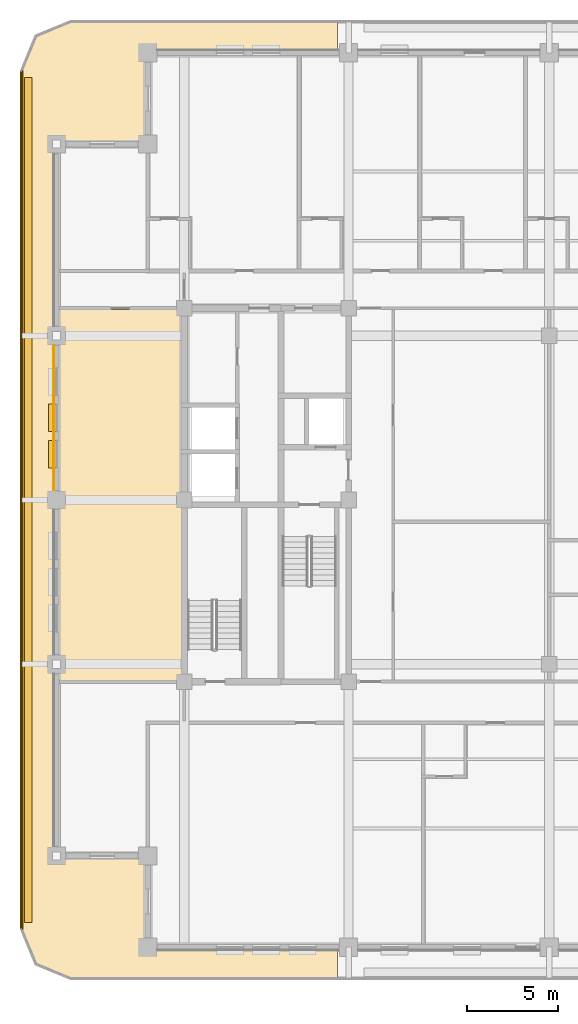
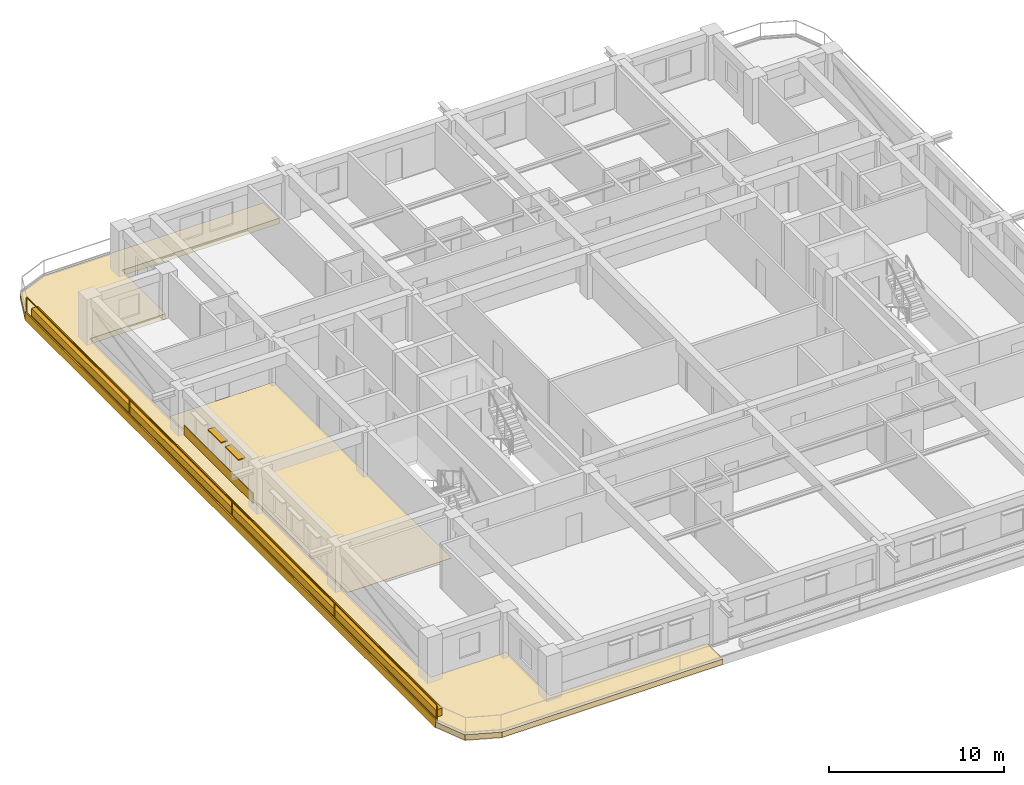
# One storey, part 10 of 14: 5 coverings, 2 shading devices, 1 railing.
"""IFC4 building model written with IfcOpenShell, lengths in metres."""

from ifc_helpers import new_model, si_unit, direction, frame, frame_2d, origin, origin_2d, place, context, subcontext, project, spatial, polyline, rectangle, outline, extrude, material, layer, layer_set, type_object, element, save


model = new_model("IFC4")

# Units and contexts
model_context = context("Model", 3, precision=1e-05, world=origin(), true_north=direction((0.0, 1.0)))
body_context = subcontext(model_context, "Body", "Model", "MODEL_VIEW")
ifc_project = project(units=[si_unit("LENGTHUNIT", "METRE"), si_unit("AREAUNIT", "SQUARE_METRE"), si_unit("VOLUMEUNIT", "CUBIC_METRE"), si_unit("PLANEANGLEUNIT", "RADIAN"), si_unit("MASSUNIT", "GRAM", prefix="KILO")], contexts=[model_context])

# Site, building, storey
site_placement = place(None, origin())
site = spatial("IfcSite", under=ifc_project, at=site_placement, CompositionType="ELEMENT")
building_placement = place(site_placement, origin())
building = spatial("IfcBuilding", under=site, at=building_placement, Name="Zulmaris Gate Convention Tower", CompositionType="ELEMENT")
storey_placement = place(building_placement, frame((0.0, 0.0, 194.85986328125)))
storey = spatial("IfcBuildingStorey", under=building, at=storey_placement, Name="L50", CompositionType="ELEMENT", Elevation=194.85986328125)

# Coverings
ifc_material_1 = material(Name="Precast concrete C40/50", Category="concrete")
ifc_layer_1 = layer(ifc_material_1, 0.0400390625, Name="Precast concrete C40/50")
ifc_layer_set_1 = layer_set([ifc_layer_1], Name="Precast concrete C40/50")
covering_type_1 = type_object("IfcCoveringType", Name="CLAD-SPANDREL-PRECAST", PredefinedType="CLADDING", material=ifc_layer_set_1)
covering_1_placement = place(storey_placement, frame((-27.14990234375, 8.469970703125, 0.0), z_axis=(0.0, 0.0, 1.0), x_axis=(0.0, -1.0, 0.0)))
element("IfcCovering", 1, at=covering_1_placement, inside=storey, type_object=covering_type_1, Name="CLD-L50-W-2_0", PredefinedType="CLADDING", context=body_context, shape_type="SweptSolid", body=[
    extrude(rectangle(XDim=7.93994140625, YDim=0.0400390625, at=frame_2d((3.969970703125, 0.0))), origin(), (0.0, 0.0, 1.0), 0.679931640625),
])
ifc_material_2 = material(Name="White Glazed Architectural Precast Concrete C40/50", Category="concrete")
ifc_layer_2 = layer(ifc_material_2, 0.239990234375, Name="White Glazed Architectural Precast Concrete C40/50")
ifc_layer_set_2 = layer_set([ifc_layer_2], Name="White Glazed Architectural Precast Concrete C40/50")
covering_type_2 = type_object("IfcCoveringType", Name="CLAD-TRAY-DECK", PredefinedType="CLADDING", material=ifc_layer_set_2)
covering_2_placement = place(storey_placement, frame((0.0, 0.0, -0.425048828125)))
element("IfcCovering", 2, at=covering_2_placement, inside=storey, type_object=covering_type_2, Name="L50 West Rounded-Fascia Planter Tray Deck", PredefinedType="CLADDING", context=body_context, shape_type="SweptSolid", body=[
    extrude(outline(polyline([(-29.0, 23.5), (-28.179931640625, 25.47998046875), (-26.199951171875, 26.300048828125), (-11.60205078125, 26.300048828125), (-11.60205078125, 24.5), (-22.0, 24.5), (-22.0, 19.5), (-27.0, 19.5), (-27.0, -19.5), (-22.0, -19.5), (-22.0, -24.5), (-11.60205078125, -24.5), (-11.60205078125, -26.300048828125), (-26.199951171875, -26.300048828125), (-28.179931640625, -25.47998046875), (-29.0, -23.5), (-29.0, 23.5)])), origin(), (0.0, 0.0, 1.0), 0.385009765625),
])
ifc_layer_3 = layer(ifc_material_2, 0.080078125, Name="White Glazed Architectural Precast Concrete C40/50")
ifc_layer_set_3 = layer_set([ifc_layer_3], Name="White Glazed Architectural Precast Concrete C40/50")
covering_type_3 = type_object("IfcCoveringType", Name="CLAD-TRAY-FASCIA", PredefinedType="CLADDING", material=ifc_layer_set_3)
covering_3_placement = place(storey_placement, frame((-28.9599609375, 23.5, -0.46484375), z_axis=(0.0, 0.0, 1.0), x_axis=(0.0, -1.0, 0.0)))
element("IfcCovering", 3, at=covering_3_placement, inside=storey, type_object=covering_type_3, Name="FSC-L50-TR-11", PredefinedType="CLADDING", context=body_context, shape_type="SweptSolid", body=[
    extrude(rectangle(XDim=47.0, YDim=0.080078125, at=frame_2d((23.5, 0.0))), origin(), (0.0, 0.0, 1.0), 0.5849609375),
])
ifc_material_3 = material(Name="Engineered Teak Parquet Flooring")
ifc_layer_4 = layer(ifc_material_3, 0.02001953125, Name="Engineered Teak Parquet Flooring")
ifc_layer_set_4 = layer_set([ifc_layer_4], Name="Engineered Teak Parquet Flooring")
covering_type_4 = type_object("IfcCoveringType", Name="FLR-TIMBER-18", PredefinedType="FLOORING", material=ifc_layer_set_4)
covering_4_placement = place(storey_placement, origin())
element("IfcCovering", 4, at=covering_4_placement, inside=storey, type_object=covering_type_4, Name="FLR-L50-R53", PredefinedType="FLOORING", context=body_context, shape_type="SweptSolid", body=[
    extrude(outline(polyline([(-26.93994140625, -9.889892578125), (-20.06005859375, -9.889892578125), (-20.06005859375, 10.43994140625), (-26.93994140625, 10.43994140625), (-26.93994140625, -9.889892578125)])), origin(), (0.0, 0.0, 1.0), 0.02001953125),
])
ifc_material_4 = material(Name="Botanical Green Glazed Precast Concrete C40/50", Category="concrete")
ifc_layer_5 = layer(ifc_material_4, 0.419921875, Name="Botanical Green Glazed Precast Concrete C40/50")
ifc_layer_set_5 = layer_set([ifc_layer_5], Name="Botanical Green Glazed Precast Concrete C40/50")
covering_type_5 = type_object("IfcCoveringType", Name="PLANTER-BOX-200", PredefinedType="CLADDING", material=ifc_layer_set_5)
covering_5_placement = place(storey_placement, frame((0.0, 0.0, -0.0400390625)))
element("IfcCovering", 5, at=covering_5_placement, inside=storey, type_object=covering_type_5, Name="L50 W Full-Length Balcony Tree Planter Trough", PredefinedType="CLADDING", context=body_context, shape_type="SweptSolid", body=[
    extrude(outline(polyline([(-28.760009765625, -23.14990234375), (-28.340087890625, -23.14990234375), (-28.340087890625, 23.14990234375), (-28.760009765625, 23.14990234375), (-28.760009765625, -23.14990234375)])), origin(), (0.0, 0.0, 1.0), 0.52001953125),
])

# Railing
ifc_material_5 = material(Name="Laminated Glass and Stainless Steel", Category="steel")
railing_type = type_object("IfcRailingType", Name="RL-BALC-1150", PredefinedType="BALUSTRADE", material=ifc_material_5)
railing_placement = place(storey_placement, frame((-28.8798828125, 23.5, -0.0400390625)))
element("IfcRailing", 6, at=railing_placement, inside=storey, type_object=railing_type, Name="RL-L50-BALC-W", PredefinedType="BALUSTRADE", context=body_context, shape_type="SweptSolid", body=[
    extrude(rectangle(XDim=0.048095703125, YDim=0.048095703125, at=origin_2d()), frame((0.0, 0.0, 1.1259765625), z_axis=(0.0, -1.0, 0.0), x_axis=(1.0, 0.0, 0.0)), (0.0, 0.0, 1.0), 47.0),
    extrude(rectangle(XDim=0.048095703125, YDim=0.048095703125, at=origin_2d()), frame((0.0, 0.0, 0.02392578125), z_axis=(0.0, -1.0, 0.0), x_axis=(1.0, 0.0, 0.0)), (0.0, 0.0, 1.0), 47.0),
    extrude(rectangle(XDim=0.0419921875, YDim=0.0419921875, at=origin_2d()), origin(), (0.0, 0.0, 1.0), 1.101806640625),
    extrude(rectangle(XDim=0.0419921875, YDim=0.0419921875, at=origin_2d()), frame((0.0, -11.75, 0.0)), (0.0, 0.0, 1.0), 1.101806640625),
    extrude(rectangle(XDim=0.0419921875, YDim=0.0419921875, at=origin_2d()), frame((0.0, -23.5, 0.0)), (0.0, 0.0, 1.0), 1.101806640625),
    extrude(rectangle(XDim=0.0419921875, YDim=0.0419921875, at=origin_2d()), frame((0.0, -35.25, 0.0)), (0.0, 0.0, 1.0), 1.101806640625),
    extrude(rectangle(XDim=0.0419921875, YDim=0.0419921875, at=origin_2d()), frame((0.0, -47.0, 0.0)), (0.0, 0.0, 1.0), 1.101806640625),
])

# Shading devices
ifc_material_6 = material(Name="Glazed Ceramic Terracotta", Category="masonry")
ifc_layer_6 = layer(ifc_material_6, 0.070068359375, Name="Glazed Ceramic Terracotta")
ifc_layer_set_6 = layer_set([ifc_layer_6], Name="Glazed Ceramic Terracotta")
shading_device_type = type_object("IfcShadingDeviceType", Name="SHD-SUNSHADE-TC", PredefinedType="AWNING", material=ifc_layer_set_6)
for number, where, z_axis, x_axis, name in (
    (7, (-27.219970703125, 5.25, 2.35009765625), (0.0, 0.0, 1.0), (0.0, -1.0, 0.0), "SHD-EW-L50-W-2_0-2"),
    (8, (-27.219970703125, 3.264892578125, 2.35009765625), (0.0, 0.0, 1.0), (0.0, -1.0, 0.0), "SHD-EW-L50-W-2_0-3"),
):
    element("IfcShadingDevice", number, at=place(storey_placement, frame(where, z_axis=z_axis, x_axis=x_axis)), inside=storey, type_object=shading_device_type, Name=name, PredefinedType="AWNING", context=body_context, shape_type="SweptSolid", body=[
        extrude(rectangle(XDim=1.5, YDim=0.43994140625, at=frame_2d((0.75, 0.0))), origin(), (0.0, 0.0, 1.0), 0.06982421875),
    ])

save(model, "model.ifc")
